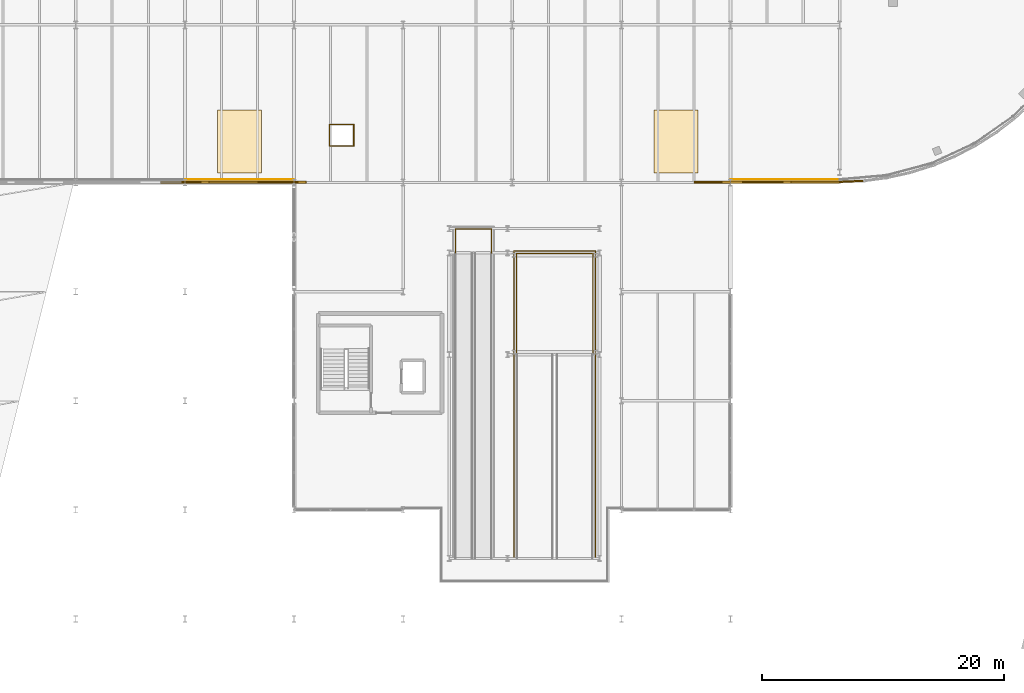
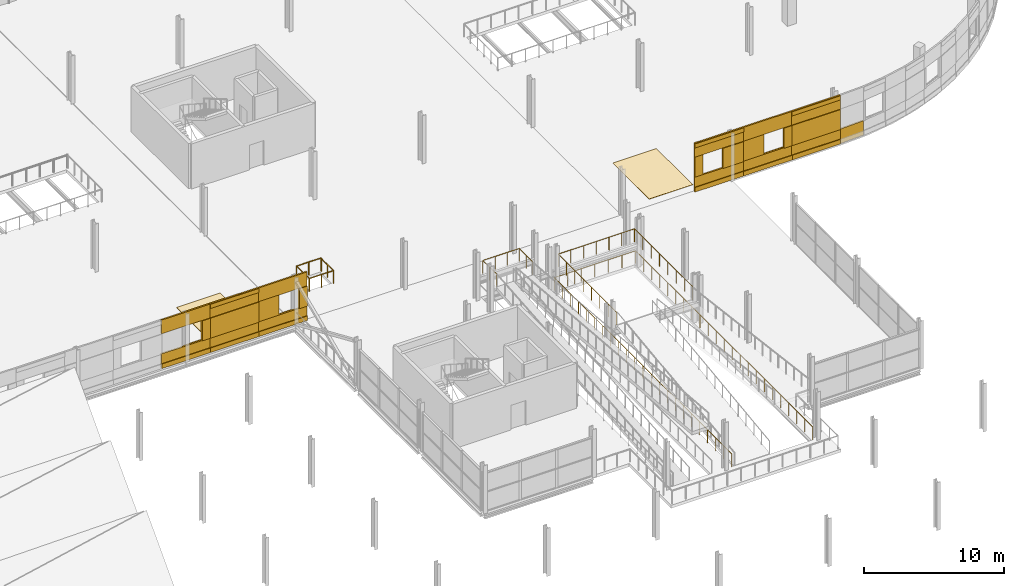
# One storey, part 96 of 103: 33 coverings, 7 railings.
"""IFC4 building model written with IfcOpenShell, lengths in metres."""

from ifc_helpers import new_model, si_unit, direction, frame, origin, origin_2d, place, context, subcontext, project, spatial, polyline, rectangle, circle, outline, extrude, material, layer, layer_set, type_object, element, save


model = new_model("IFC4")

# Units and contexts
model_context = context("Model", 3, precision=1e-05, world=origin(), true_north=direction((0.0, 1.0)))
body_context = subcontext(model_context, "Body", "Model", "MODEL_VIEW")
ifc_project = project(units=[si_unit("LENGTHUNIT", "METRE"), si_unit("AREAUNIT", "SQUARE_METRE"), si_unit("VOLUMEUNIT", "CUBIC_METRE"), si_unit("PLANEANGLEUNIT", "RADIAN"), si_unit("MASSUNIT", "GRAM", prefix="KILO")], contexts=[model_context])

# Site, building, storey
site_placement = place(None, origin())
site = spatial("IfcSite", under=ifc_project, at=site_placement, CompositionType="ELEMENT")
building_placement = place(site_placement, origin())
building = spatial("IfcBuilding", under=site, at=building_placement, Name="Deido Ridge Mobility Hub", CompositionType="ELEMENT")
storey_placement = place(building_placement, frame((0.0, 0.0, 12.60009765625)))
storey = spatial("IfcBuildingStorey", under=building, at=storey_placement, Name="L03", CompositionType="ELEMENT", Elevation=12.60009765625)

# Coverings
ifc_material_1 = material(Name="Fired clay brick masonry", Category="masonry")
ifc_layer_1 = layer(ifc_material_1, 0.114990234375, Name="Fired clay brick masonry")
ifc_layer_set_1 = layer_set([ifc_layer_1], Name="Fired clay brick masonry")
covering_type_1 = type_object("IfcCoveringType", Name="COV-BRK-SCREEN-115", PredefinedType="CLADDING", material=ifc_layer_set_1)
covering_1_placement = place(storey_placement, frame((117.978271484375, 81.09521484375, 0.0), z_axis=(0.0, 0.0, 1.0), x_axis=(0.999048982732, 0.043601950678, 0.0)))
element("IfcCovering", 1, at=covering_1_placement, inside=storey, type_object=covering_type_1, Name="Open brickwork spandrel course BKS1 (L03)", PredefinedType="CLADDING", context=body_context, shape_type="SweptSolid", body=[
    extrude(rectangle(XDim=1.9619140625, YDim=0.125, at=origin_2d()), origin(), (0.0, 0.0, 1.0), 1.25),
])
covering_2_placement = place(storey_placement, frame((63.0, 81.052490234375, 0.0), z_axis=(0.0, 0.0, 1.0), x_axis=(1.0, 0.0, 0.0)))
element("IfcCovering", 2, at=covering_2_placement, inside=storey, type_object=covering_type_1, Name="Open brickwork spandrel course BKS1 (L03)", PredefinedType="CLADDING", context=body_context, shape_type="SweptSolid", body=[
    extrude(rectangle(XDim=4.01611328125, YDim=0.125, at=origin_2d()), origin(), (0.0, 0.0, 1.0), 1.25),
])
covering_3_placement = place(storey_placement, frame((63.0, 81.02490234375, 0.0), z_axis=(0.0, 0.0, 1.0), x_axis=(1.0, 0.0, 0.0)))
element("IfcCovering", 3, at=covering_3_placement, inside=storey, type_object=covering_type_1, Name="Raised brick relief belt BKS1 (L03)", PredefinedType="CLADDING", context=body_context, shape_type="SweptSolid", body=[
    extrude(rectangle(XDim=4.01611328125, YDim=0.179931640625, at=origin_2d()), origin(), (0.0, 0.0, 1.0), 0.39990234375),
])
covering_4_placement = place(storey_placement, frame((63.0, 81.052490234375, 3.0), z_axis=(0.0, 0.0, 1.0), x_axis=(1.0, 0.0, 0.0)))
element("IfcCovering", 4, at=covering_4_placement, inside=storey, type_object=covering_type_1, Name="Open brickwork lintel course BKS1 (L03)", PredefinedType="CLADDING", context=body_context, shape_type="SweptSolid", body=[
    extrude(rectangle(XDim=4.01611328125, YDim=0.125, at=origin_2d()), origin(), (0.0, 0.0, 1.0), 1.199951171875),
])
covering_5_placement = place(storey_placement, frame((64.672607421875, 81.02490234375, 1.25), z_axis=(0.0, 0.0, 1.0), x_axis=(1.0, 0.0, 0.0)))
element("IfcCovering", 5, at=covering_5_placement, inside=storey, type_object=covering_type_1, Name="Open brickwork pier BKS1 (L03)", PredefinedType="CLADDING", context=body_context, shape_type="SweptSolid", body=[
    extrude(rectangle(XDim=0.655029296875, YDim=0.179931640625, at=origin_2d()), origin(), (0.0, 0.0, 1.0), 1.75),
])
covering_6_placement = place(storey_placement, frame((67.0, 81.052490234375, 0.0), z_axis=(0.0, 0.0, 1.0), x_axis=(1.0, 0.0, 0.0)))
element("IfcCovering", 6, at=covering_6_placement, inside=storey, type_object=covering_type_1, Name="Open brickwork spandrel course BKS1 (L03)", PredefinedType="CLADDING", context=body_context, shape_type="SweptSolid", body=[
    extrude(rectangle(XDim=4.01611328125, YDim=0.125, at=origin_2d()), origin(), (0.0, 0.0, 1.0), 1.25),
])
covering_7_placement = place(storey_placement, frame((67.0, 81.02490234375, 0.0), z_axis=(0.0, 0.0, 1.0), x_axis=(1.0, 0.0, 0.0)))
element("IfcCovering", 7, at=covering_7_placement, inside=storey, type_object=covering_type_1, Name="Raised brick relief belt BKS1 (L03)", PredefinedType="CLADDING", context=body_context, shape_type="SweptSolid", body=[
    extrude(rectangle(XDim=4.01611328125, YDim=0.179931640625, at=origin_2d()), origin(), (0.0, 0.0, 1.0), 0.39990234375),
])
covering_8_placement = place(storey_placement, frame((67.0, 81.052490234375, 3.0), z_axis=(0.0, 0.0, 1.0), x_axis=(1.0, 0.0, 0.0)))
element("IfcCovering", 8, at=covering_8_placement, inside=storey, type_object=covering_type_1, Name="Open brickwork lintel course BKS1 (L03)", PredefinedType="CLADDING", context=body_context, shape_type="SweptSolid", body=[
    extrude(rectangle(XDim=4.01611328125, YDim=0.125, at=origin_2d()), origin(), (0.0, 0.0, 1.0), 1.199951171875),
])
covering_9_placement = place(storey_placement, frame((67.0, 81.02490234375, 3.83984375), z_axis=(0.0, 0.0, 1.0), x_axis=(1.0, 0.0, 0.0)))
element("IfcCovering", 9, at=covering_9_placement, inside=storey, type_object=covering_type_1, Name="Raised brick relief cornice BKS1 (L03)", PredefinedType="CLADDING", context=body_context, shape_type="SweptSolid", body=[
    extrude(rectangle(XDim=4.01611328125, YDim=0.179931640625, at=origin_2d()), origin(), (0.0, 0.0, 1.0), 0.360107421875),
])
covering_10_placement = place(storey_placement, frame((67.0, 81.02490234375, 1.25), z_axis=(0.0, 0.0, 1.0), x_axis=(1.0, 0.0, 0.0)))
element("IfcCovering", 10, at=covering_10_placement, inside=storey, type_object=covering_type_1, Name="Raised brick relief panel BKS1 (L03)", PredefinedType="CLADDING", context=body_context, shape_type="SweptSolid", body=[
    extrude(rectangle(XDim=4.008056640625, YDim=0.179931640625, at=origin_2d()), origin(), (0.0, 0.0, 1.0), 1.75),
])
covering_11_placement = place(storey_placement, frame((71.0, 81.052490234375, 0.0), z_axis=(0.0, 0.0, 1.0), x_axis=(1.0, 0.0, 0.0)))
element("IfcCovering", 11, at=covering_11_placement, inside=storey, type_object=covering_type_1, Name="Open brickwork spandrel course BKS1 (L03)", PredefinedType="CLADDING", context=body_context, shape_type="SweptSolid", body=[
    extrude(rectangle(XDim=4.01611328125, YDim=0.125, at=origin_2d()), origin(), (0.0, 0.0, 1.0), 1.25),
])
covering_12_placement = place(storey_placement, frame((71.0, 81.02490234375, 0.0), z_axis=(0.0, 0.0, 1.0), x_axis=(1.0, 0.0, 0.0)))
element("IfcCovering", 12, at=covering_12_placement, inside=storey, type_object=covering_type_1, Name="Raised brick relief belt BKS1 (L03)", PredefinedType="CLADDING", context=body_context, shape_type="SweptSolid", body=[
    extrude(rectangle(XDim=4.01611328125, YDim=0.179931640625, at=origin_2d()), origin(), (0.0, 0.0, 1.0), 0.39990234375),
])
covering_13_placement = place(storey_placement, frame((71.0, 81.052490234375, 3.0), z_axis=(0.0, 0.0, 1.0), x_axis=(1.0, 0.0, 0.0)))
element("IfcCovering", 13, at=covering_13_placement, inside=storey, type_object=covering_type_1, Name="Open brickwork lintel course BKS1 (L03)", PredefinedType="CLADDING", context=body_context, shape_type="SweptSolid", body=[
    extrude(rectangle(XDim=4.01611328125, YDim=0.125, at=origin_2d()), origin(), (0.0, 0.0, 1.0), 1.199951171875),
])
covering_14_placement = place(storey_placement, frame((69.847412109375, 81.052490234375, 1.25), z_axis=(0.0, 0.0, 1.0), x_axis=(1.0, 0.0, 0.0)))
element("IfcCovering", 14, at=covering_14_placement, inside=storey, type_object=covering_type_1, Name="Open brickwork pier BKS1 (L03)", PredefinedType="CLADDING", context=body_context, shape_type="SweptSolid", body=[
    extrude(rectangle(XDim=1.695068359375, YDim=0.125, at=origin_2d()), origin(), (0.0, 0.0, 1.0), 1.75),
])
covering_15_placement = place(storey_placement, frame((72.672607421875, 81.02490234375, 1.25), z_axis=(0.0, 0.0, 1.0), x_axis=(1.0, 0.0, 0.0)))
element("IfcCovering", 15, at=covering_15_placement, inside=storey, type_object=covering_type_1, Name="Open brickwork pier BKS1 (L03)", PredefinedType="CLADDING", context=body_context, shape_type="SweptSolid", body=[
    extrude(rectangle(XDim=0.655029296875, YDim=0.179931640625, at=origin_2d()), origin(), (0.0, 0.0, 1.0), 1.75),
])
covering_16_placement = place(storey_placement, frame((107.0, 81.052490234375, 0.0), z_axis=(0.0, 0.0, 1.0), x_axis=(1.0, 0.0, 0.0)))
element("IfcCovering", 16, at=covering_16_placement, inside=storey, type_object=covering_type_1, Name="Open brickwork spandrel course BKS1 (L03)", PredefinedType="CLADDING", context=body_context, shape_type="SweptSolid", body=[
    extrude(rectangle(XDim=4.01611328125, YDim=0.125, at=origin_2d()), origin(), (0.0, 0.0, 1.0), 1.25),
])
covering_17_placement = place(storey_placement, frame((107.0, 81.02490234375, 0.0), z_axis=(0.0, 0.0, 1.0), x_axis=(1.0, 0.0, 0.0)))
element("IfcCovering", 17, at=covering_17_placement, inside=storey, type_object=covering_type_1, Name="Raised brick relief belt BKS1 (L03)", PredefinedType="CLADDING", context=body_context, shape_type="SweptSolid", body=[
    extrude(rectangle(XDim=4.01611328125, YDim=0.179931640625, at=origin_2d()), origin(), (0.0, 0.0, 1.0), 0.39990234375),
])
covering_18_placement = place(storey_placement, frame((107.0, 81.052490234375, 3.0), z_axis=(0.0, 0.0, 1.0), x_axis=(1.0, 0.0, 0.0)))
element("IfcCovering", 18, at=covering_18_placement, inside=storey, type_object=covering_type_1, Name="Open brickwork lintel course BKS1 (L03)", PredefinedType="CLADDING", context=body_context, shape_type="SweptSolid", body=[
    extrude(rectangle(XDim=4.01611328125, YDim=0.125, at=origin_2d()), origin(), (0.0, 0.0, 1.0), 1.199951171875),
])
covering_19_placement = place(storey_placement, frame((107.0, 81.02490234375, 3.83984375), z_axis=(0.0, 0.0, 1.0), x_axis=(1.0, 0.0, 0.0)))
element("IfcCovering", 19, at=covering_19_placement, inside=storey, type_object=covering_type_1, Name="Raised brick relief cornice BKS1 (L03)", PredefinedType="CLADDING", context=body_context, shape_type="SweptSolid", body=[
    extrude(rectangle(XDim=4.01611328125, YDim=0.179931640625, at=origin_2d()), origin(), (0.0, 0.0, 1.0), 0.360107421875),
])
covering_20_placement = place(storey_placement, frame((105.327392578125, 81.052490234375, 1.25), z_axis=(0.0, 0.0, 1.0), x_axis=(1.0, 0.0, 0.0)))
element("IfcCovering", 20, at=covering_20_placement, inside=storey, type_object=covering_type_1, Name="Open brickwork pier BKS1 (L03)", PredefinedType="CLADDING", context=body_context, shape_type="SweptSolid", body=[
    extrude(rectangle(XDim=0.655029296875, YDim=0.125, at=origin_2d()), origin(), (0.0, 0.0, 1.0), 1.75),
])
covering_21_placement = place(storey_placement, frame((108.152587890625, 81.02490234375, 1.25), z_axis=(0.0, 0.0, 1.0), x_axis=(1.0, 0.0, 0.0)))
element("IfcCovering", 21, at=covering_21_placement, inside=storey, type_object=covering_type_1, Name="Open brickwork pier BKS1 (L03)", PredefinedType="CLADDING", context=body_context, shape_type="SweptSolid", body=[
    extrude(rectangle(XDim=1.695068359375, YDim=0.179931640625, at=origin_2d()), origin(), (0.0, 0.0, 1.0), 1.75),
])
covering_22_placement = place(storey_placement, frame((111.0, 81.052490234375, 0.0), z_axis=(0.0, 0.0, 1.0), x_axis=(1.0, 0.0, 0.0)))
element("IfcCovering", 22, at=covering_22_placement, inside=storey, type_object=covering_type_1, Name="Open brickwork spandrel course BKS1 (L03)", PredefinedType="CLADDING", context=body_context, shape_type="SweptSolid", body=[
    extrude(rectangle(XDim=4.01611328125, YDim=0.125, at=origin_2d()), origin(), (0.0, 0.0, 1.0), 1.25),
])
covering_23_placement = place(storey_placement, frame((111.0, 81.02490234375, 0.0), z_axis=(0.0, 0.0, 1.0), x_axis=(1.0, 0.0, 0.0)))
element("IfcCovering", 23, at=covering_23_placement, inside=storey, type_object=covering_type_1, Name="Raised brick relief belt BKS1 (L03)", PredefinedType="CLADDING", context=body_context, shape_type="SweptSolid", body=[
    extrude(rectangle(XDim=4.01611328125, YDim=0.179931640625, at=origin_2d()), origin(), (0.0, 0.0, 1.0), 0.39990234375),
])
covering_24_placement = place(storey_placement, frame((111.0, 81.052490234375, 3.0), z_axis=(0.0, 0.0, 1.0), x_axis=(1.0, 0.0, 0.0)))
element("IfcCovering", 24, at=covering_24_placement, inside=storey, type_object=covering_type_1, Name="Open brickwork lintel course BKS1 (L03)", PredefinedType="CLADDING", context=body_context, shape_type="SweptSolid", body=[
    extrude(rectangle(XDim=4.01611328125, YDim=0.125, at=origin_2d()), origin(), (0.0, 0.0, 1.0), 1.199951171875),
])
covering_25_placement = place(storey_placement, frame((109.847412109375, 81.052490234375, 1.25), z_axis=(0.0, 0.0, 1.0), x_axis=(1.0, 0.0, 0.0)))
element("IfcCovering", 25, at=covering_25_placement, inside=storey, type_object=covering_type_1, Name="Open brickwork pier BKS1 (L03)", PredefinedType="CLADDING", context=body_context, shape_type="SweptSolid", body=[
    extrude(rectangle(XDim=1.695068359375, YDim=0.125, at=origin_2d()), origin(), (0.0, 0.0, 1.0), 1.75),
])
covering_26_placement = place(storey_placement, frame((112.672607421875, 81.02490234375, 1.25), z_axis=(0.0, 0.0, 1.0), x_axis=(1.0, 0.0, 0.0)))
element("IfcCovering", 26, at=covering_26_placement, inside=storey, type_object=covering_type_1, Name="Open brickwork pier BKS1 (L03)", PredefinedType="CLADDING", context=body_context, shape_type="SweptSolid", body=[
    extrude(rectangle(XDim=0.655029296875, YDim=0.179931640625, at=origin_2d()), origin(), (0.0, 0.0, 1.0), 1.75),
])
covering_27_placement = place(storey_placement, frame((115.0, 81.052490234375, 0.0), z_axis=(0.0, 0.0, 1.0), x_axis=(1.0, 0.0, 0.0)))
element("IfcCovering", 27, at=covering_27_placement, inside=storey, type_object=covering_type_1, Name="Open brickwork spandrel course BKS1 (L03)", PredefinedType="CLADDING", context=body_context, shape_type="SweptSolid", body=[
    extrude(rectangle(XDim=4.01611328125, YDim=0.125, at=origin_2d()), origin(), (0.0, 0.0, 1.0), 1.25),
])
covering_28_placement = place(storey_placement, frame((115.0, 81.02490234375, 0.0), z_axis=(0.0, 0.0, 1.0), x_axis=(1.0, 0.0, 0.0)))
element("IfcCovering", 28, at=covering_28_placement, inside=storey, type_object=covering_type_1, Name="Raised brick relief belt BKS1 (L03)", PredefinedType="CLADDING", context=body_context, shape_type="SweptSolid", body=[
    extrude(rectangle(XDim=4.01611328125, YDim=0.179931640625, at=origin_2d()), origin(), (0.0, 0.0, 1.0), 0.39990234375),
])
covering_29_placement = place(storey_placement, frame((115.0, 81.052490234375, 3.0), z_axis=(0.0, 0.0, 1.0), x_axis=(1.0, 0.0, 0.0)))
element("IfcCovering", 29, at=covering_29_placement, inside=storey, type_object=covering_type_1, Name="Open brickwork lintel course BKS1 (L03)", PredefinedType="CLADDING", context=body_context, shape_type="SweptSolid", body=[
    extrude(rectangle(XDim=4.01611328125, YDim=0.125, at=origin_2d()), origin(), (0.0, 0.0, 1.0), 1.199951171875),
])
covering_30_placement = place(storey_placement, frame((115.0, 81.02490234375, 3.83984375), z_axis=(0.0, 0.0, 1.0), x_axis=(1.0, 0.0, 0.0)))
element("IfcCovering", 30, at=covering_30_placement, inside=storey, type_object=covering_type_1, Name="Raised brick relief cornice BKS1 (L03)", PredefinedType="CLADDING", context=body_context, shape_type="SweptSolid", body=[
    extrude(rectangle(XDim=4.01611328125, YDim=0.179931640625, at=origin_2d()), origin(), (0.0, 0.0, 1.0), 0.360107421875),
])
covering_31_placement = place(storey_placement, frame((115.0, 81.02490234375, 1.25), z_axis=(0.0, 0.0, 1.0), x_axis=(1.0, 0.0, 0.0)))
element("IfcCovering", 31, at=covering_31_placement, inside=storey, type_object=covering_type_1, Name="Raised brick relief panel BKS1 (L03)", PredefinedType="CLADDING", context=body_context, shape_type="SweptSolid", body=[
    extrude(rectangle(XDim=4.008056640625, YDim=0.179931640625, at=origin_2d()), origin(), (0.0, 0.0, 1.0), 1.75),
])
ifc_material_2 = material(Name="Epoxy terrazzo floor finish")
ifc_layer_2 = layer(ifc_material_2, 0.02001953125, Name="Epoxy terrazzo floor finish")
ifc_layer_set_2 = layer_set([ifc_layer_2], Name="Epoxy terrazzo floor finish")
covering_type_2 = type_object("IfcCoveringType", Name="COV-FLR-TER-20", PredefinedType="FLOORING", material=ifc_layer_set_2)
covering_32_placement = place(storey_placement, origin())
element("IfcCovering", 32, at=covering_32_placement, inside=storey, type_object=covering_type_2, Name="Accessible parking bay marking AB13", PredefinedType="FLOORING", context=body_context, shape_type="SweptSolid", body=[
    extrude(outline(polyline([(65.699951171875, 81.800048828125), (69.300048828125, 81.800048828125), (69.300048828125, 87.0), (65.699951171875, 87.0), (65.699951171875, 81.800048828125)])), origin(), (0.0, 0.0, 1.0), 0.02001953125),
])
covering_33_placement = place(storey_placement, origin())
element("IfcCovering", 33, at=covering_33_placement, inside=storey, type_object=covering_type_2, Name="Accessible parking bay marking AB14", PredefinedType="FLOORING", context=body_context, shape_type="SweptSolid", body=[
    extrude(outline(polyline([(101.699951171875, 81.800048828125), (105.300048828125, 81.800048828125), (105.300048828125, 87.0), (101.699951171875, 87.0), (101.699951171875, 81.800048828125)])), origin(), (0.0, 0.0, 1.0), 0.02001953125),
])

# Railings
ifc_material_3 = material(Name="Galvanised steel work", Category="steel")
railing_type = type_object("IfcRailingType", Name="RL-GRD-EXT-1150", PredefinedType="GUARDRAIL", material=ifc_material_3)
for number, where, name in (
    (34, (63.0400390625, 81.25, 0.0), "Parking drum perimeter guard (L03)"),
    (35, (108.0400390625, 81.25, 0.0), "Parking drum perimeter guard (L03)"),
):
    element("IfcRailing", number, at=place(storey_placement, frame(where)), inside=storey, type_object=railing_type, Name=name, PredefinedType="GUARDRAIL", context=body_context, shape_type="SweptSolid", body=[
        extrude(circle(Radius=0.02392578125, at=origin_2d()), frame((0.0, 0.0, 1.1259765625), z_axis=(1.0, 0.0, 0.0), x_axis=(0.0, 1.0, 0.0)), (0.0, 0.0, 1.0), 8.919921875),
        extrude(circle(Radius=0.02099609375, at=origin_2d()), origin(), (0.0, 0.0, 1.0), 1.101806640625),
        extrude(circle(Radius=0.02099609375, at=origin_2d()), frame((1.114990234375, 0.0, 0.0)), (0.0, 0.0, 1.0), 1.101806640625),
        extrude(circle(Radius=0.02099609375, at=origin_2d()), frame((2.22998046875, 0.0, 0.0)), (0.0, 0.0, 1.0), 1.101806640625),
        extrude(circle(Radius=0.02099609375, at=origin_2d()), frame((3.344970703125, 0.0, 0.0)), (0.0, 0.0, 1.0), 1.101806640625),
        extrude(circle(Radius=0.02099609375, at=origin_2d()), frame((4.4599609375, 0.0, 0.0)), (0.0, 0.0, 1.0), 1.101806640625),
        extrude(circle(Radius=0.02099609375, at=origin_2d()), frame((5.574951171875, 0.0, 0.0)), (0.0, 0.0, 1.0), 1.101806640625),
        extrude(circle(Radius=0.02099609375, at=origin_2d()), frame((6.68994140625, 0.0, 0.0)), (0.0, 0.0, 1.0), 1.101806640625),
        extrude(circle(Radius=0.02099609375, at=origin_2d()), frame((7.804931640625, 0.0, 0.0)), (0.0, 0.0, 1.0), 1.101806640625),
        extrude(circle(Radius=0.02099609375, at=origin_2d()), frame((8.919921875, 0.0, 0.0)), (0.0, 0.0, 1.0), 1.101806640625),
    ])
railing_1_placement = place(storey_placement, frame((90.14990234375, 50.0, 0.0)))
element("IfcRailing", 36, at=railing_1_placement, inside=storey, type_object=railing_type, Name="Vehicle ramp well guard (L03)", PredefinedType="GUARDRAIL", context=body_context, shape_type="SweptSolid", body=[
    extrude(circle(Radius=0.02392578125, at=origin_2d()), frame((0.0, 0.0, 1.1259765625), z_axis=(0.0, 1.0, 0.0), x_axis=(-1.0, 0.0, 0.0)), (0.0, 0.0, 1.0), 25.35009765625),
    extrude(circle(Radius=0.02392578125, at=origin_2d()), frame((0.0, 25.35009765625, 1.1259765625), z_axis=(1.0, 0.0, 0.0), x_axis=(0.0, 1.0, 0.0)), (0.0, 0.0, 1.0), 6.7001953125),
    extrude(circle(Radius=0.02392578125, at=origin_2d()), frame((6.7001953125, 25.35009765625, 1.1259765625), z_axis=(0.0, -1.0, 0.0), x_axis=(1.0, 0.0, 0.0)), (0.0, 0.0, 1.0), 25.35009765625),
    extrude(circle(Radius=0.02099609375, at=origin_2d()), origin(), (0.0, 0.0, 1.0), 1.101806640625),
    extrude(circle(Radius=0.02099609375, at=origin_2d()), frame((0.0, 1.15234375, 0.0)), (0.0, 0.0, 1.0), 1.101806640625),
    extrude(circle(Radius=0.02099609375, at=origin_2d()), frame((0.0, 2.304443359375, 0.0)), (0.0, 0.0, 1.0), 1.101806640625),
    extrude(circle(Radius=0.02099609375, at=origin_2d()), frame((0.0, 3.456787109375, 0.0)), (0.0, 0.0, 1.0), 1.101806640625),
    extrude(circle(Radius=0.02099609375, at=origin_2d()), frame((0.0, 4.609130859375, 0.0)), (0.0, 0.0, 1.0), 1.101806640625),
    extrude(circle(Radius=0.02099609375, at=origin_2d()), frame((0.0, 5.761474609375, 0.0)), (0.0, 0.0, 1.0), 1.101806640625),
    extrude(circle(Radius=0.02099609375, at=origin_2d()), frame((0.0, 6.91357421875, 0.0)), (0.0, 0.0, 1.0), 1.101806640625),
    extrude(circle(Radius=0.02099609375, at=origin_2d()), frame((0.0, 8.06591796875, 0.0)), (0.0, 0.0, 1.0), 1.101806640625),
    extrude(circle(Radius=0.02099609375, at=origin_2d()), frame((0.0, 9.21826171875, 0.0)), (0.0, 0.0, 1.0), 1.101806640625),
    extrude(circle(Radius=0.02099609375, at=origin_2d()), frame((0.0, 10.37060546875, 0.0)), (0.0, 0.0, 1.0), 1.101806640625),
    extrude(circle(Radius=0.02099609375, at=origin_2d()), frame((0.0, 11.522705078125, 0.0)), (0.0, 0.0, 1.0), 1.101806640625),
    extrude(circle(Radius=0.02099609375, at=origin_2d()), frame((0.0, 12.675048828125, 0.0)), (0.0, 0.0, 1.0), 1.101806640625),
    extrude(circle(Radius=0.02099609375, at=origin_2d()), frame((0.0, 13.827392578125, 0.0)), (0.0, 0.0, 1.0), 1.101806640625),
    extrude(circle(Radius=0.02099609375, at=origin_2d()), frame((0.0, 14.9794921875, 0.0)), (0.0, 0.0, 1.0), 1.101806640625),
    extrude(circle(Radius=0.02099609375, at=origin_2d()), frame((0.0, 16.1318359375, 0.0)), (0.0, 0.0, 1.0), 1.101806640625),
    extrude(circle(Radius=0.02099609375, at=origin_2d()), frame((0.0, 17.2841796875, 0.0)), (0.0, 0.0, 1.0), 1.101806640625),
    extrude(circle(Radius=0.02099609375, at=origin_2d()), frame((0.0, 18.4365234375, 0.0)), (0.0, 0.0, 1.0), 1.101806640625),
    extrude(circle(Radius=0.02099609375, at=origin_2d()), frame((0.0, 19.588623046875, 0.0)), (0.0, 0.0, 1.0), 1.101806640625),
    extrude(circle(Radius=0.02099609375, at=origin_2d()), frame((0.0, 20.740966796875, 0.0)), (0.0, 0.0, 1.0), 1.101806640625),
    extrude(circle(Radius=0.02099609375, at=origin_2d()), frame((0.0, 21.893310546875, 0.0)), (0.0, 0.0, 1.0), 1.101806640625),
    extrude(circle(Radius=0.02099609375, at=origin_2d()), frame((0.0, 23.045654296875, 0.0)), (0.0, 0.0, 1.0), 1.101806640625),
    extrude(circle(Radius=0.02099609375, at=origin_2d()), frame((0.0, 24.19775390625, 0.0)), (0.0, 0.0, 1.0), 1.101806640625),
    extrude(circle(Radius=0.02099609375, at=origin_2d()), frame((0.0, 25.35009765625, 0.0)), (0.0, 0.0, 1.0), 1.101806640625),
    extrude(circle(Radius=0.02099609375, at=origin_2d()), frame((1.11669921875, 25.35009765625, 0.0)), (0.0, 0.0, 1.0), 1.101806640625),
    extrude(circle(Radius=0.02099609375, at=origin_2d()), frame((2.2333984375, 25.35009765625, 0.0)), (0.0, 0.0, 1.0), 1.101806640625),
    extrude(circle(Radius=0.02099609375, at=origin_2d()), frame((3.35009765625, 25.35009765625, 0.0)), (0.0, 0.0, 1.0), 1.101806640625),
    extrude(circle(Radius=0.02099609375, at=origin_2d()), frame((4.466796875, 25.35009765625, 0.0)), (0.0, 0.0, 1.0), 1.101806640625),
    extrude(circle(Radius=0.02099609375, at=origin_2d()), frame((5.58349609375, 25.35009765625, 0.0)), (0.0, 0.0, 1.0), 1.101806640625),
    extrude(circle(Radius=0.02099609375, at=origin_2d()), frame((6.7001953125, 25.35009765625, 0.0)), (0.0, 0.0, 1.0), 1.101806640625),
    extrude(circle(Radius=0.02099609375, at=origin_2d()), frame((6.7001953125, 24.19775390625, 0.0)), (0.0, 0.0, 1.0), 1.101806640625),
    extrude(circle(Radius=0.02099609375, at=origin_2d()), frame((6.7001953125, 23.045654296875, 0.0)), (0.0, 0.0, 1.0), 1.101806640625),
    extrude(circle(Radius=0.02099609375, at=origin_2d()), frame((6.7001953125, 21.893310546875, 0.0)), (0.0, 0.0, 1.0), 1.101806640625),
    extrude(circle(Radius=0.02099609375, at=origin_2d()), frame((6.7001953125, 20.740966796875, 0.0)), (0.0, 0.0, 1.0), 1.101806640625),
    extrude(circle(Radius=0.02099609375, at=origin_2d()), frame((6.7001953125, 19.588623046875, 0.0)), (0.0, 0.0, 1.0), 1.101806640625),
    extrude(circle(Radius=0.02099609375, at=origin_2d()), frame((6.7001953125, 18.4365234375, 0.0)), (0.0, 0.0, 1.0), 1.101806640625),
    extrude(circle(Radius=0.02099609375, at=origin_2d()), frame((6.7001953125, 17.2841796875, 0.0)), (0.0, 0.0, 1.0), 1.101806640625),
    extrude(circle(Radius=0.02099609375, at=origin_2d()), frame((6.7001953125, 16.1318359375, 0.0)), (0.0, 0.0, 1.0), 1.101806640625),
    extrude(circle(Radius=0.02099609375, at=origin_2d()), frame((6.7001953125, 14.9794921875, 0.0)), (0.0, 0.0, 1.0), 1.101806640625),
    extrude(circle(Radius=0.02099609375, at=origin_2d()), frame((6.7001953125, 13.827392578125, 0.0)), (0.0, 0.0, 1.0), 1.101806640625),
    extrude(circle(Radius=0.02099609375, at=origin_2d()), frame((6.7001953125, 12.675048828125, 0.0)), (0.0, 0.0, 1.0), 1.101806640625),
    extrude(circle(Radius=0.02099609375, at=origin_2d()), frame((6.7001953125, 11.522705078125, 0.0)), (0.0, 0.0, 1.0), 1.101806640625),
    extrude(circle(Radius=0.02099609375, at=origin_2d()), frame((6.7001953125, 10.37060546875, 0.0)), (0.0, 0.0, 1.0), 1.101806640625),
    extrude(circle(Radius=0.02099609375, at=origin_2d()), frame((6.7001953125, 9.21826171875, 0.0)), (0.0, 0.0, 1.0), 1.101806640625),
    extrude(circle(Radius=0.02099609375, at=origin_2d()), frame((6.7001953125, 8.06591796875, 0.0)), (0.0, 0.0, 1.0), 1.101806640625),
    extrude(circle(Radius=0.02099609375, at=origin_2d()), frame((6.7001953125, 6.91357421875, 0.0)), (0.0, 0.0, 1.0), 1.101806640625),
    extrude(circle(Radius=0.02099609375, at=origin_2d()), frame((6.7001953125, 5.761474609375, 0.0)), (0.0, 0.0, 1.0), 1.101806640625),
    extrude(circle(Radius=0.02099609375, at=origin_2d()), frame((6.7001953125, 4.609130859375, 0.0)), (0.0, 0.0, 1.0), 1.101806640625),
    extrude(circle(Radius=0.02099609375, at=origin_2d()), frame((6.7001953125, 3.456787109375, 0.0)), (0.0, 0.0, 1.0), 1.101806640625),
    extrude(circle(Radius=0.02099609375, at=origin_2d()), frame((6.7001953125, 2.304443359375, 0.0)), (0.0, 0.0, 1.0), 1.101806640625),
    extrude(circle(Radius=0.02099609375, at=origin_2d()), frame((6.7001953125, 1.15234375, 0.0)), (0.0, 0.0, 1.0), 1.101806640625),
    extrude(circle(Radius=0.02099609375, at=origin_2d()), frame((6.7001953125, 0.0, 0.0)), (0.0, 0.0, 1.0), 1.101806640625),
])
railing_2_placement = place(storey_placement, frame((90.35009765625, 66.800048828125, 2.099853515625)))
element("IfcRailing", 37, at=railing_2_placement, inside=storey, type_object=railing_type, Name="Vehicle ramp landing guard (L03)", PredefinedType="GUARDRAIL", context=body_context, shape_type="SweptSolid", body=[
    extrude(circle(Radius=0.02392578125, at=origin_2d()), frame((0.0, 0.0, 1.1259765625), z_axis=(0.0, 1.0, 0.0), x_axis=(-1.0, 0.0, 0.0)), (0.0, 0.0, 1.0), 8.349853515625),
    extrude(circle(Radius=0.02392578125, at=origin_2d()), frame((0.0, 8.349853515625, 1.1259765625), z_axis=(1.0, 0.0, 0.0), x_axis=(0.0, 1.0, 0.0)), (0.0, 0.0, 1.0), 6.2998046875),
    extrude(circle(Radius=0.02392578125, at=origin_2d()), frame((6.2998046875, 8.349853515625, 1.1259765625), z_axis=(0.0, -1.0, 0.0), x_axis=(1.0, 0.0, 0.0)), (0.0, 0.0, 1.0), 8.349853515625),
    extrude(circle(Radius=0.02099609375, at=origin_2d()), origin(), (0.0, 0.0, 1.0), 1.101806640625),
    extrude(circle(Radius=0.02099609375, at=origin_2d()), frame((0.0, 1.19287109375, 0.0)), (0.0, 0.0, 1.0), 1.101806640625),
    extrude(circle(Radius=0.02099609375, at=origin_2d()), frame((0.0, 2.3857421875, 0.0)), (0.0, 0.0, 1.0), 1.101806640625),
    extrude(circle(Radius=0.02099609375, at=origin_2d()), frame((0.0, 3.57861328125, 0.0)), (0.0, 0.0, 1.0), 1.101806640625),
    extrude(circle(Radius=0.02099609375, at=origin_2d()), frame((0.0, 4.771240234375, 0.0)), (0.0, 0.0, 1.0), 1.101806640625),
    extrude(circle(Radius=0.02099609375, at=origin_2d()), frame((0.0, 5.964111328125, 0.0)), (0.0, 0.0, 1.0), 1.101806640625),
    extrude(circle(Radius=0.02099609375, at=origin_2d()), frame((0.0, 7.156982421875, 0.0)), (0.0, 0.0, 1.0), 1.101806640625),
    extrude(circle(Radius=0.02099609375, at=origin_2d()), frame((0.0, 8.349853515625, 0.0)), (0.0, 0.0, 1.0), 1.101806640625),
    extrude(circle(Radius=0.02099609375, at=origin_2d()), frame((1.050048828125, 8.349853515625, 0.0)), (0.0, 0.0, 1.0), 1.101806640625),
    extrude(circle(Radius=0.02099609375, at=origin_2d()), frame((2.099853515625, 8.349853515625, 0.0)), (0.0, 0.0, 1.0), 1.101806640625),
    extrude(circle(Radius=0.02099609375, at=origin_2d()), frame((3.14990234375, 8.349853515625, 0.0)), (0.0, 0.0, 1.0), 1.101806640625),
    extrude(circle(Radius=0.02099609375, at=origin_2d()), frame((4.199951171875, 8.349853515625, 0.0)), (0.0, 0.0, 1.0), 1.101806640625),
    extrude(circle(Radius=0.02099609375, at=origin_2d()), frame((5.249755859375, 8.349853515625, 0.0)), (0.0, 0.0, 1.0), 1.101806640625),
    extrude(circle(Radius=0.02099609375, at=origin_2d()), frame((6.2998046875, 8.349853515625, 0.0)), (0.0, 0.0, 1.0), 1.101806640625),
    extrude(circle(Radius=0.02099609375, at=origin_2d()), frame((6.2998046875, 7.156982421875, 0.0)), (0.0, 0.0, 1.0), 1.101806640625),
    extrude(circle(Radius=0.02099609375, at=origin_2d()), frame((6.2998046875, 5.964111328125, 0.0)), (0.0, 0.0, 1.0), 1.101806640625),
    extrude(circle(Radius=0.02099609375, at=origin_2d()), frame((6.2998046875, 4.771240234375, 0.0)), (0.0, 0.0, 1.0), 1.101806640625),
    extrude(circle(Radius=0.02099609375, at=origin_2d()), frame((6.2998046875, 3.57861328125, 0.0)), (0.0, 0.0, 1.0), 1.101806640625),
    extrude(circle(Radius=0.02099609375, at=origin_2d()), frame((6.2998046875, 2.3857421875, 0.0)), (0.0, 0.0, 1.0), 1.101806640625),
    extrude(circle(Radius=0.02099609375, at=origin_2d()), frame((6.2998046875, 1.19287109375, 0.0)), (0.0, 0.0, 1.0), 1.101806640625),
    extrude(circle(Radius=0.02099609375, at=origin_2d()), frame((6.2998046875, 0.0, 0.0)), (0.0, 0.0, 1.0), 1.101806640625),
])
railing_3_placement = place(storey_placement, frame((85.300048828125, 75.199951171875, 2.099853515625)))
element("IfcRailing", 38, at=railing_3_placement, inside=storey, type_object=railing_type, Name="Cycle ramp landing guard (L03)", PredefinedType="GUARDRAIL", context=body_context, shape_type="SweptSolid", body=[
    extrude(circle(Radius=0.02392578125, at=origin_2d()), frame((0.0, 0.0, 1.1259765625), z_axis=(0.0, 1.0, 0.0), x_axis=(-1.0, 0.0, 0.0)), (0.0, 0.0, 1.0), 1.949951171875),
    extrude(circle(Radius=0.02392578125, at=origin_2d()), frame((0.0, 1.949951171875, 1.1259765625), z_axis=(1.0, 0.0, 0.0), x_axis=(0.0, 1.0, 0.0)), (0.0, 0.0, 1.0), 3.0),
    extrude(circle(Radius=0.02392578125, at=origin_2d()), frame((3.0, 1.949951171875, 1.1259765625), z_axis=(0.0, -1.0, 0.0), x_axis=(1.0, 0.0, 0.0)), (0.0, 0.0, 1.0), 1.949951171875),
    extrude(circle(Radius=0.02099609375, at=origin_2d()), origin(), (0.0, 0.0, 1.0), 1.101806640625),
    extrude(circle(Radius=0.02099609375, at=origin_2d()), frame((0.0, 0.97509765625, 0.0)), (0.0, 0.0, 1.0), 1.101806640625),
    extrude(circle(Radius=0.02099609375, at=origin_2d()), frame((0.0, 1.949951171875, 0.0)), (0.0, 0.0, 1.0), 1.101806640625),
    extrude(circle(Radius=0.02099609375, at=origin_2d()), frame((1.0, 1.949951171875, 0.0)), (0.0, 0.0, 1.0), 1.101806640625),
    extrude(circle(Radius=0.02099609375, at=origin_2d()), frame((2.0, 1.949951171875, 0.0)), (0.0, 0.0, 1.0), 1.101806640625),
    extrude(circle(Radius=0.02099609375, at=origin_2d()), frame((3.0, 1.949951171875, 0.0)), (0.0, 0.0, 1.0), 1.101806640625),
    extrude(circle(Radius=0.02099609375, at=origin_2d()), frame((3.0, 0.97509765625, 0.0)), (0.0, 0.0, 1.0), 1.101806640625),
    extrude(circle(Radius=0.02099609375, at=origin_2d()), frame((3.0, 0.0, 0.0)), (0.0, 0.0, 1.0), 1.101806640625),
])
railing_4_placement = place(storey_placement, frame((74.925048828125, 84.0, 0.0)))
element("IfcRailing", 39, at=railing_4_placement, inside=storey, type_object=railing_type, Name="Service riser shaft guard (L03) A", PredefinedType="GUARDRAIL", context=body_context, shape_type="SweptSolid", body=[
    extrude(circle(Radius=0.02392578125, at=origin_2d()), frame((0.0, 0.0, 1.1259765625), z_axis=(1.0, 0.0, 0.0), x_axis=(0.0, 1.0, 0.0)), (0.0, 0.0, 1.0), 2.0),
    extrude(circle(Radius=0.02392578125, at=origin_2d()), frame((2.0, 0.0, 1.1259765625), z_axis=(0.0, 1.0, 0.0), x_axis=(-1.0, 0.0, 0.0)), (0.0, 0.0, 1.0), 1.739990234375),
    extrude(circle(Radius=0.02099609375, at=origin_2d()), origin(), (0.0, 0.0, 1.0), 1.101806640625),
    extrude(circle(Radius=0.02099609375, at=origin_2d()), frame((1.0, 0.0, 0.0)), (0.0, 0.0, 1.0), 1.101806640625),
    extrude(circle(Radius=0.02099609375, at=origin_2d()), frame((2.0, 0.0, 0.0)), (0.0, 0.0, 1.0), 1.101806640625),
    extrude(circle(Radius=0.02099609375, at=origin_2d()), frame((2.0, 0.8701171875, 0.0)), (0.0, 0.0, 1.0), 1.101806640625),
    extrude(circle(Radius=0.02099609375, at=origin_2d()), frame((2.0, 1.739990234375, 0.0)), (0.0, 0.0, 1.0), 1.101806640625),
])
railing_5_placement = place(storey_placement, frame((76.925048828125, 85.800048828125, 0.0)))
element("IfcRailing", 40, at=railing_5_placement, inside=storey, type_object=railing_type, Name="Service riser shaft guard (L03) B", PredefinedType="GUARDRAIL", context=body_context, shape_type="SweptSolid", body=[
    extrude(circle(Radius=0.02392578125, at=origin_2d()), frame((0.0, 0.0, 1.1259765625), z_axis=(-1.0, 0.0, 0.0), x_axis=(0.0, -1.0, 0.0)), (0.0, 0.0, 1.0), 2.0),
    extrude(circle(Radius=0.02392578125, at=origin_2d()), frame((-2.0, 0.0, 1.1259765625), z_axis=(0.0, -1.0, 0.0), x_axis=(1.0, 0.0, 0.0)), (0.0, 0.0, 1.0), 1.739990234375),
    extrude(circle(Radius=0.02099609375, at=origin_2d()), origin(), (0.0, 0.0, 1.0), 1.101806640625),
    extrude(circle(Radius=0.02099609375, at=origin_2d()), frame((-1.0, 0.0, 0.0)), (0.0, 0.0, 1.0), 1.101806640625),
    extrude(circle(Radius=0.02099609375, at=origin_2d()), frame((-2.0, 0.0, 0.0)), (0.0, 0.0, 1.0), 1.101806640625),
    extrude(circle(Radius=0.02099609375, at=origin_2d()), frame((-2.0, -0.8701171875, 0.0)), (0.0, 0.0, 1.0), 1.101806640625),
    extrude(circle(Radius=0.02099609375, at=origin_2d()), frame((-2.0, -1.739990234375, 0.0)), (0.0, 0.0, 1.0), 1.101806640625),
])

save(model, "model.ifc")
